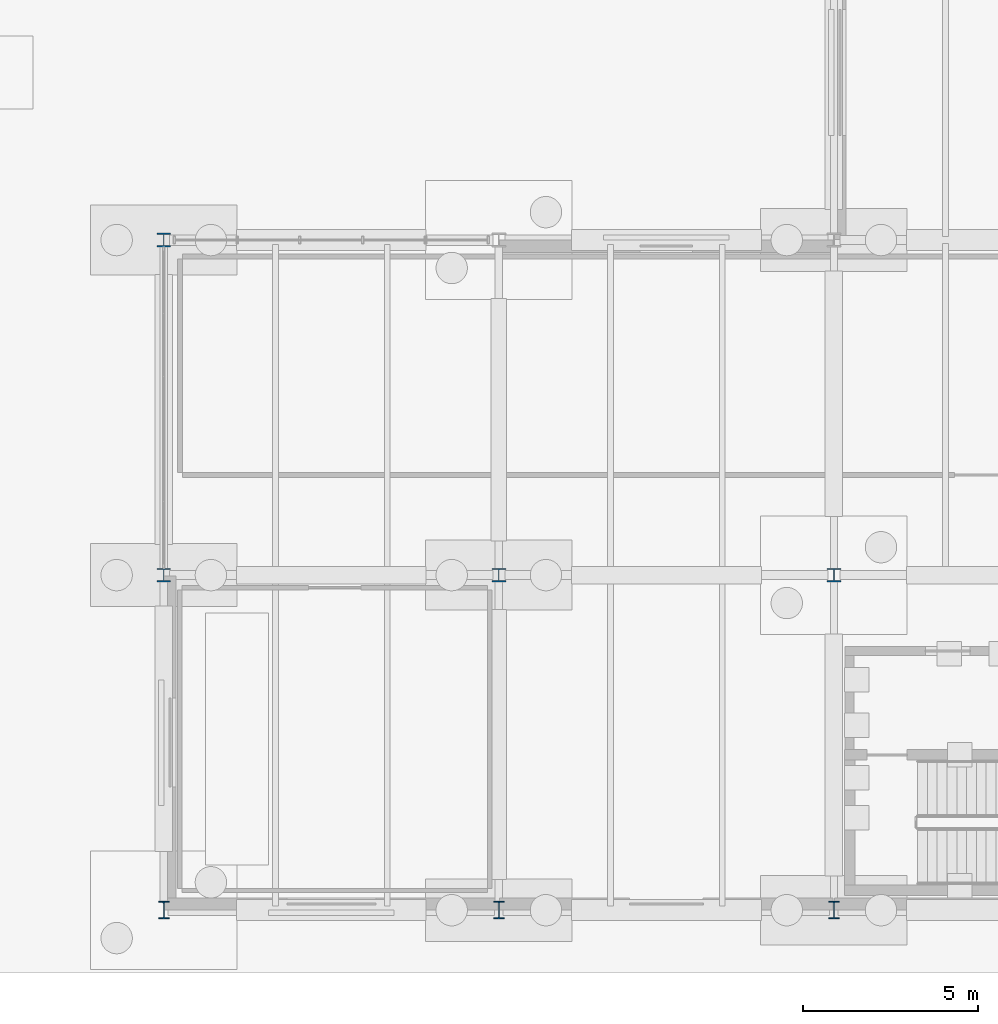
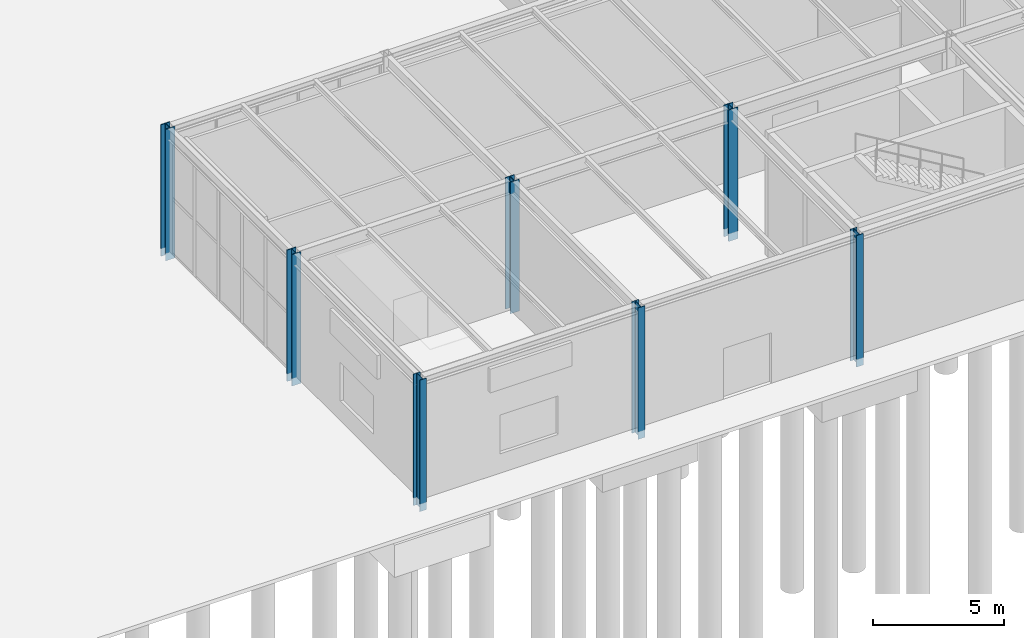
# One storey, part 21 of 142: 7 columns.
"""IFC4 building model written with IfcOpenShell, lengths in metres."""

from ifc_helpers import new_model, si_unit, direction, frame, origin, origin_2d, place, context, subcontext, project, spatial, i_section, extrude, material, material_profile, profile_set, type_object, element, save


model = new_model("IFC4")

# Units and contexts
model_context = context("Model", 3, precision=1e-05, world=origin(), true_north=direction((0.0, 1.0)))
body_context = subcontext(model_context, "Body", "Model", "MODEL_VIEW")
ifc_project = project(units=[si_unit("LENGTHUNIT", "METRE"), si_unit("AREAUNIT", "SQUARE_METRE"), si_unit("VOLUMEUNIT", "CUBIC_METRE"), si_unit("PLANEANGLEUNIT", "RADIAN"), si_unit("MASSUNIT", "GRAM", prefix="KILO")], contexts=[model_context])

# Site, building, storey
site_placement = place(None, origin())
site = spatial("IfcSite", under=ifc_project, at=site_placement, CompositionType="ELEMENT")
building_placement = place(site_placement, origin())
building = spatial("IfcBuilding", under=site, at=building_placement, Name="Coralgate Yard Interchange", CompositionType="ELEMENT")
storey_placement = place(building_placement, origin())
storey = spatial("IfcBuildingStorey", under=building, at=storey_placement, Name="L00", CompositionType="ELEMENT", Elevation=0.0)

# Columns
ifc_material = material(Name="Structural steel S355J2", Category="steel")
ifc_material_profile_1 = material_profile(ifc_material, i_section(OverallWidth=0.39892578125, OverallDepth=0.3935546875, WebThickness=0.022705078125, FlangeThickness=0.03662109375, FilletRadius=0.01513671875, at=origin_2d()), Name="UC 356x406x287")
ifc_profile_set_1 = profile_set([ifc_material_profile_1], Name="Structural steel S355J2")
column_type_1 = type_object("IfcColumnType", Name="COL-SC-1", PredefinedType="COLUMN", material=ifc_profile_set_1)
for number, where, z_axis, x_axis, name in (
    (1, (134.39990234375, 9.60009765625, -0.360107421875), (0.0, 0.0, 1.0), (1.0, 0.0, 0.0), "L00 structural column 14-1"),
    (2, (134.39990234375, 19.199951171875, -0.360107421875), (0.0, 0.0, 1.0), (1.0, 0.0, 0.0), "L00 structural column 14-2"),
    (3, (144.0, 9.60009765625, -0.360107421875), (0.0, 0.0, 1.0), (1.0, 0.0, 0.0), "L00 structural column 15-1"),
    (4, (153.60009765625, 9.60009765625, -0.360107421875), (0.0, 0.0, 1.0), (1.0, 0.0, 0.0), "L00 structural column 16-1"),
):
    element("IfcColumn", number, at=place(storey_placement, frame(where, z_axis=z_axis, x_axis=x_axis)), inside=storey, type_object=column_type_1, Name=name, PredefinedType="COLUMN", context=body_context, shape_type="SweptSolid", body=[
        extrude(i_section(OverallWidth=0.39892578125, OverallDepth=0.3935546875, WebThickness=0.022705078125, FlangeThickness=0.03662109375, FilletRadius=0.01513671875, at=origin_2d()), origin(), (0.0, 0.0, 1.0), 6.110107421875),
    ])
ifc_material_profile_2 = material_profile(ifc_material, i_section(OverallWidth=0.300048828125, OverallDepth=0.5, WebThickness=0.014404296875, FlangeThickness=0.028076171875, FilletRadius=0.027099609375, at=origin_2d()), Name="HEB 500")
ifc_profile_set_2 = profile_set([ifc_material_profile_2], Name="Structural steel S355J2")
column_type_2 = type_object("IfcColumnType", Name="COL-SC-10", PredefinedType="COLUMN", material=ifc_profile_set_2)
for number, where, z_axis, x_axis, name in (
    (5, (134.39990234375, 0.0, -0.360107421875), (0.0, 0.0, 1.0), (1.0, 0.0, 0.0), "L00 structural column 14-0"),
    (6, (144.0, 0.0, -0.360107421875), (0.0, 0.0, 1.0), (1.0, 0.0, 0.0), "L00 structural column 15-0"),
    (7, (153.60009765625, 0.0, -0.360107421875), (0.0, 0.0, 1.0), (1.0, 0.0, 0.0), "L00 structural column 16-0"),
):
    element("IfcColumn", number, at=place(storey_placement, frame(where, z_axis=z_axis, x_axis=x_axis)), inside=storey, type_object=column_type_2, Name=name, PredefinedType="COLUMN", context=body_context, shape_type="SweptSolid", body=[
        extrude(i_section(OverallWidth=0.300048828125, OverallDepth=0.5, WebThickness=0.014404296875, FlangeThickness=0.028076171875, FilletRadius=0.027099609375, at=origin_2d()), origin(), (0.0, 0.0, 1.0), 6.110107421875),
    ])

save(model, "model.ifc")
